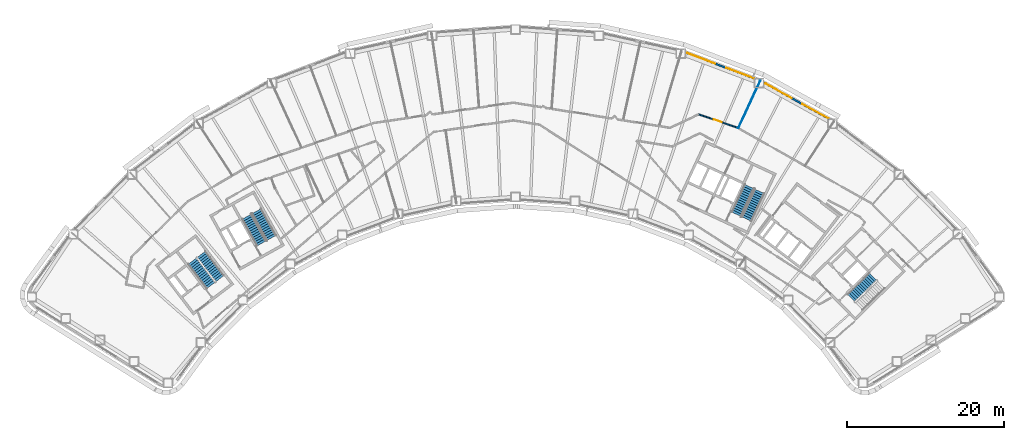
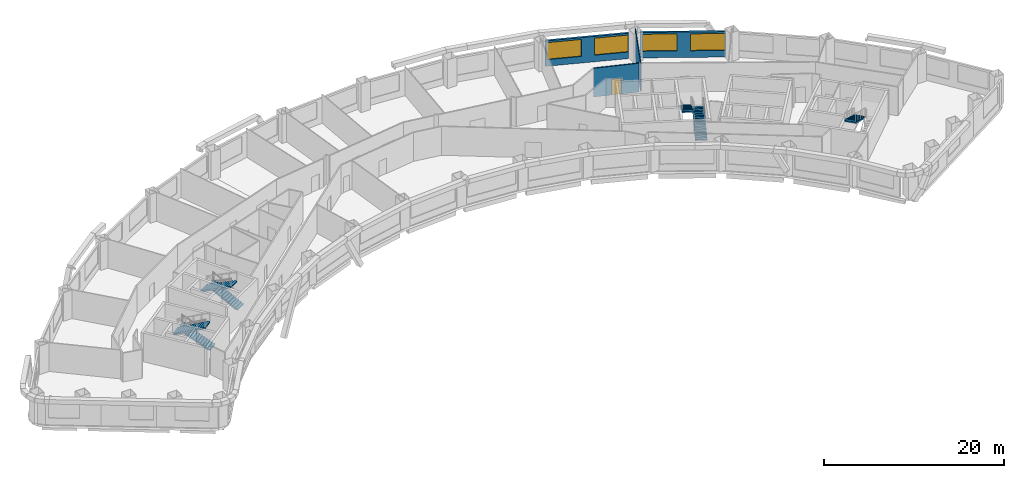
# One storey, part 9 of 15: 7 stair flights, 4 walls, 4 windows, 1 door, 5 openings, 4 elements without a shape of their own.
"""IFC4 building model written with IfcOpenShell, lengths in metres."""

from ifc_helpers import new_model, si_unit, direction, frame, frame_2d, origin, place, context, subcontext, project, spatial, polyline, rectangle, outline, extrude, material, layer, layer_set, type_object, element, fill, aggregate, save


model = new_model("IFC4")

# Units and contexts
model_context = context("Model", 3, precision=1e-05, world=origin(), true_north=direction((0.0, 1.0)))
body_context = subcontext(model_context, "Body", "Model", "MODEL_VIEW")
ifc_project = project(units=[si_unit("LENGTHUNIT", "METRE"), si_unit("AREAUNIT", "SQUARE_METRE"), si_unit("VOLUMEUNIT", "CUBIC_METRE"), si_unit("PLANEANGLEUNIT", "RADIAN"), si_unit("MASSUNIT", "GRAM", prefix="KILO")], contexts=[model_context])

# Site, building, storey
site_placement = place(None, origin())
site = spatial("IfcSite", under=ifc_project, at=site_placement, CompositionType="ELEMENT")
building_placement = place(site_placement, origin())
building = spatial("IfcBuilding", under=site, at=building_placement, Name="Tuul Gate Civic Tower", CompositionType="ELEMENT")
storey_placement = place(building_placement, frame((0.0, 0.0, 78.0)))
storey = spatial("IfcBuildingStorey", under=building, at=storey_placement, Name="Level 17", CompositionType="ELEMENT", Elevation=78.0)

# Wall, opening, door
ifc_material_1 = material(Name="Gypsum board partition")
ifc_layer_1 = layer(ifc_material_1, 0.14990234375)
ifc_layer_set_1 = layer_set([ifc_layer_1], Name="Gypsum board partition")
wall_type_1 = type_object("IfcWallType", Name="Corridor wall P150", PredefinedType="PARTITIONING", material=ifc_layer_set_1)
wall_1_placement = place(storey_placement, frame((28.1591796875, 7.878173828125, 0.0), z_axis=(0.0, 0.0, 1.0), x_axis=(0.945540696843, -0.32550390261, 0.0)))
wall_1 = element("IfcWall", 1, at=wall_1_placement, inside=storey, type_object=wall_type_1, Name="p013", PredefinedType="PARTITIONING", context=body_context, shape_type="SweptSolid", body=[
    extrude(rectangle(XDim=5.1474609375, YDim=0.14990234375, at=frame_2d((2.57373046875, 0.0))), origin(), (0.0, 0.0, 1.0), 3.89990234375),
])
opening_1_placement = place(wall_1_placement, frame((2.023681640625, 0.0, 0.0)))
opening_1 = element("IfcOpeningElement", 2, at=opening_1_placement, cuts=wall_1, Name="Opening E-D04", PredefinedType="OPENING", context=body_context, shape_type="SweptSolid", body=[
    extrude(rectangle(XDim=1.10009765625, YDim=2.10009765625, at=frame_2d((0.550048828125, 1.050048828125))), frame((0.0, 0.0849609375, 0.0), z_axis=(0.0, -1.0, 0.0), x_axis=(1.0, 0.0, 0.0)), (0.0, 0.0, 1.0), 0.169921875),
])
ifc_material_2 = material(Name="Timber door leaf", Category="wood")
door_type = type_object("IfcDoorType", Name="Door D11", OperationType="NOTDEFINED", PredefinedType="DOOR", material=ifc_material_2)
door_placement = place(opening_1_placement, origin())
door = element("IfcDoor", 3, at=door_placement, inside=storey, type_object=door_type, Name="Door E-D04", OperationType="SINGLE_SWING_RIGHT", OverallHeight=2.10009765625, OverallWidth=1.10009765625, PredefinedType="DOOR", context=body_context, shape_type="SweptSolid", body=[
    extrude(rectangle(XDim=1.10009765625, YDim=2.10009765625, at=frame_2d((0.550048828125, 1.050048828125))), frame((0.0, 0.02490234375, 0.0), z_axis=(0.0, -1.0, 0.0), x_axis=(1.0, 0.0, 0.0)), (0.0, 0.0, 1.0), 0.050048828125),
])
fill(opening_1, door)

# Wall, openings, windows
ifc_material_3 = material(Name="Precast concrete C40/50", Category="concrete")
ifc_layer_2 = layer(ifc_material_3, 0.25)
ifc_layer_set_2 = layer_set([ifc_layer_2], Name="Precast concrete C40/50")
wall_type_2 = type_object("IfcWallType", Name="External wall", PredefinedType="STANDARD", material=ifc_layer_set_2)
wall_2_placement = place(storey_placement, frame((44.798583984375, 7.283935546875, 0.0), z_axis=(0.0, 0.0, 1.0), x_axis=(-0.874600835604, 0.484843663835, 0.0)))
wall_2 = element("IfcWall", 4, at=wall_2_placement, inside=storey, type_object=wall_type_2, Name="External wall", PredefinedType="STANDARD", context=body_context, shape_type="SweptSolid", body=[
    extrude(rectangle(XDim=9.5205078125, YDim=0.25, at=frame_2d((4.76025390625, 0.0))), origin(), (0.0, 0.0, 1.0), 3.449951171875),
])
opening_2_placement = place(wall_2_placement, frame((0.0771484375, 0.0, 0.89990234375)))
opening_2 = element("IfcOpeningElement", 5, at=opening_2_placement, cuts=wall_2, Name="Opening W22", PredefinedType="OPENING", context=body_context, shape_type="SweptSolid", body=[
    extrude(rectangle(XDim=3.85009765625, YDim=2.300048828125, at=frame_2d((1.925048828125, 1.14990234375))), frame((0.0, 0.135009765625, 0.0), z_axis=(0.0, -1.0, 0.0), x_axis=(1.0, 0.0, 0.0)), (0.0, 0.0, 1.0), 0.27001953125),
])
opening_3_placement = place(wall_2_placement, frame((5.447998046875, 0.0, 0.89990234375)))
opening_3 = element("IfcOpeningElement", 6, at=opening_3_placement, cuts=wall_2, Name="Opening W22", PredefinedType="OPENING", context=body_context, shape_type="SweptSolid", body=[
    extrude(rectangle(XDim=3.85009765625, YDim=2.300048828125, at=frame_2d((1.925048828125, 1.14990234375))), frame((0.0, 0.135009765625, 0.0), z_axis=(0.0, -1.0, 0.0), x_axis=(1.0, 0.0, 0.0)), (0.0, 0.0, 1.0), 0.27001953125),
])
ifc_material_4 = material(Name="Glass", Category="glass")
window_type_1 = type_object("IfcWindowType", Name="Window W22 3850 x 2300", PartitioningType="SINGLE_PANEL", PredefinedType="WINDOW", material=ifc_material_4)
window_1_placement = place(opening_2_placement, origin())
window_1 = element("IfcWindow", 7, at=window_1_placement, inside=storey, type_object=window_type_1, Name="Window", OverallHeight=2.300048828125, OverallWidth=3.85009765625, PartitioningType="SINGLE_PANEL", PredefinedType="WINDOW", context=body_context, shape_type="SweptSolid", body=[
    extrude(rectangle(XDim=3.85009765625, YDim=2.300048828125, at=frame_2d((1.925048828125, 1.14990234375))), frame((0.0, 0.030029296875, 0.0), z_axis=(0.0, -1.0, 0.0), x_axis=(1.0, 0.0, 0.0)), (0.0, 0.0, 1.0), 0.06005859375),
])
fill(opening_2, window_1)
window_2_placement = place(opening_3_placement, origin())
window_2 = element("IfcWindow", 8, at=window_2_placement, inside=storey, type_object=window_type_1, Name="Window", OverallHeight=2.300048828125, OverallWidth=3.85009765625, PartitioningType="SINGLE_PANEL", PredefinedType="WINDOW", context=body_context, shape_type="SweptSolid", body=[
    extrude(rectangle(XDim=3.85009765625, YDim=2.300048828125, at=frame_2d((1.925048828125, 1.14990234375))), frame((0.0, 0.030029296875, 0.0), z_axis=(0.0, -1.0, 0.0), x_axis=(1.0, 0.0, 0.0)), (0.0, 0.0, 1.0), 0.06005859375),
])
fill(opening_3, window_2)

wall_3_placement = place(storey_placement, frame((35.27197265625, 12.43505859375, 0.0), z_axis=(0.0, 0.0, 1.0), x_axis=(-0.935339717619, 0.35375077759, 0.0)))
wall_3 = element("IfcWall", 9, at=wall_3_placement, inside=storey, type_object=wall_type_2, Name="External wall", PredefinedType="STANDARD", context=body_context, shape_type="SweptSolid", body=[
    extrude(rectangle(XDim=9.394287109375, YDim=0.25, at=frame_2d((4.697265625, 0.0))), origin(), (0.0, 0.0, 1.0), 3.449951171875),
])
opening_4_placement = place(wall_3_placement, frame((0.044921875, 0.0, 0.89990234375)))
opening_4 = element("IfcOpeningElement", 10, at=opening_4_placement, cuts=wall_3, Name="Opening W100", PredefinedType="OPENING", context=body_context, shape_type="SweptSolid", body=[
    extrude(rectangle(XDim=3.800048828125, YDim=2.300048828125, at=frame_2d((1.89990234375, 1.14990234375))), frame((0.0, 0.135009765625, 0.0), z_axis=(0.0, -1.0, 0.0), x_axis=(1.0, 0.0, 0.0)), (0.0, 0.0, 1.0), 0.27001953125),
])
opening_5_placement = place(wall_3_placement, frame((5.33447265625, 0.0, 0.89990234375)))
opening_5 = element("IfcOpeningElement", 11, at=opening_5_placement, cuts=wall_3, Name="Opening W22", PredefinedType="OPENING", context=body_context, shape_type="SweptSolid", body=[
    extrude(rectangle(XDim=3.85009765625, YDim=2.300048828125, at=frame_2d((1.925048828125, 1.14990234375))), frame((0.0, 0.135009765625, 0.0), z_axis=(0.0, -1.0, 0.0), x_axis=(1.0, 0.0, 0.0)), (0.0, 0.0, 1.0), 0.27001953125),
])
ifc_material_5 = material(Name="Glass", Category="glass")
window_type_2 = type_object("IfcWindowType", Name="Window W100 3800 x 2300", PartitioningType="SINGLE_PANEL", PredefinedType="WINDOW", material=ifc_material_5)
window_3_placement = place(opening_4_placement, origin())
window_3 = element("IfcWindow", 12, at=window_3_placement, inside=storey, type_object=window_type_2, Name="Window", OverallHeight=2.300048828125, OverallWidth=3.800048828125, PartitioningType="SINGLE_PANEL", PredefinedType="WINDOW", context=body_context, shape_type="SweptSolid", body=[
    extrude(rectangle(XDim=3.800048828125, YDim=2.300048828125, at=frame_2d((1.89990234375, 1.14990234375))), frame((0.0, 0.030029296875, 0.0), z_axis=(0.0, -1.0, 0.0), x_axis=(1.0, 0.0, 0.0)), (0.0, 0.0, 1.0), 0.06005859375),
])
fill(opening_4, window_3)
window_4_placement = place(opening_5_placement, origin())
window_4 = element("IfcWindow", 13, at=window_4_placement, inside=storey, type_object=window_type_1, Name="Window", OverallHeight=2.300048828125, OverallWidth=3.85009765625, PartitioningType="SINGLE_PANEL", PredefinedType="WINDOW", context=body_context, shape_type="SweptSolid", body=[
    extrude(rectangle(XDim=3.85009765625, YDim=2.300048828125, at=frame_2d((1.925048828125, 1.14990234375))), frame((0.0, 0.030029296875, 0.0), z_axis=(0.0, -1.0, 0.0), x_axis=(1.0, 0.0, 0.0)), (0.0, 0.0, 1.0), 0.06005859375),
])
fill(opening_5, window_4)

# Wall
ifc_material_6 = material(Name="Gypsum board partition")
ifc_layer_3 = layer(ifc_material_6, 0.10009765625)
ifc_layer_set_3 = layer_set([ifc_layer_3], Name="Gypsum board partition")
wall_type_3 = type_object("IfcWallType", Name="Partition P100", PredefinedType="PARTITIONING", material=ifc_layer_set_3)
wall_4_placement = place(storey_placement, frame((33.204345703125, 6.102294921875, 0.0), z_axis=(0.0, 0.0, 1.0), x_axis=(0.420337673154, 0.90736775374, 0.0)))
element("IfcWall", 14, at=wall_4_placement, inside=storey, type_object=wall_type_3, Name="p011", PredefinedType="PARTITIONING", context=body_context, shape_type="SweptSolid", body=[
    extrude(rectangle(XDim=6.677001953125, YDim=0.10009765625, at=frame_2d((3.33837890625, 0.0))), origin(), (0.0, 0.0, 1.0), 3.89990234375),
])

# Stair, stair flights
ifc_material_7 = material(Name="Concrete C40/50", Category="concrete")
stair_type = type_object("IfcStairType", Name="Exit stair", PredefinedType="HALF_TURN_STAIR", material=ifc_material_7)
stair_1_placement = place(storey_placement, origin())
stair_1 = element("IfcStair", 15, at=stair_1_placement, inside=storey, type_object=stair_type, Name="Level 17 ST-1", PredefinedType="HALF_TURN_STAIR")
ifc_material_8 = material(Name="Concrete C40/50", Category="concrete")
stair_flight_type = type_object("IfcStairFlightType", Name="Exit stair flight", PredefinedType="STRAIGHT", material=ifc_material_8)
stair_flight_1_placement = place(storey_placement, frame((-32.875244140625, -13.066650390625, 0.0), z_axis=(0.0, 0.0, 1.0), x_axis=(-0.605764474941, 0.795644016442, 0.0)))
stair_flight_1 = element("IfcStairFlight", 16, at=stair_flight_1_placement, type_object=stair_flight_type, Name="ST-1 flight 1", NumberOfRisers=14, NumberOfTreads=13, PredefinedType="STRAIGHT", RiserHeight=0.15, TreadLength=0.3, context=body_context, shape_type="SweptSolid", body=[
    extrude(outline(polyline([(0.0, 0.0), (0.0, 0.14990234375), (0.300048828125, 0.14990234375), (0.300048828125, 0.300048828125), (0.60009765625, 0.300048828125), (0.60009765625, 0.449951171875), (0.89990234375, 0.449951171875), (0.89990234375, 0.60009765625), (1.199951171875, 0.60009765625), (1.199951171875, 0.75), (1.5, 0.75), (1.5, 0.89990234375), (1.800048828125, 0.89990234375), (1.800048828125, 1.050048828125), (2.10009765625, 1.050048828125), (2.10009765625, 1.199951171875), (2.39990234375, 1.199951171875), (2.39990234375, 1.35009765625), (2.699951171875, 1.35009765625), (2.699951171875, 1.5), (3.0, 1.5), (3.0, 1.64990234375), (3.300048828125, 1.64990234375), (3.300048828125, 1.800048828125), (3.60009765625, 1.800048828125), (3.60009765625, 1.949951171875), (3.89990234375, 1.949951171875), (3.89990234375, 2.10009765625), (3.89990234375, 1.782470703125), (0.335205078125, 0.0), (0.0, 0.0)])), frame((0.0, 0.675048828125, 0.0), z_axis=(0.0, -1.0, 0.0), x_axis=(1.0, 0.0, 0.0)), (0.0, 0.0, 1.0), 1.35009765625),
])
stair_flight_2_placement = place(storey_placement, frame((-36.391357421875, -10.842041015625, 2.10009765625), z_axis=(0.0, 0.0, 1.0), x_axis=(0.605764474941, -0.795644016442, 0.0)))
stair_flight_2 = element("IfcStairFlight", 17, at=stair_flight_2_placement, type_object=stair_flight_type, Name="ST-1 flight 2", NumberOfRisers=14, NumberOfTreads=13, PredefinedType="STRAIGHT", RiserHeight=0.15, TreadLength=0.3, context=body_context, shape_type="SweptSolid", body=[
    extrude(outline(polyline([(0.0, 0.0), (0.0, 0.14990234375), (0.300048828125, 0.14990234375), (0.300048828125, 0.300048828125), (0.60009765625, 0.300048828125), (0.60009765625, 0.449951171875), (0.89990234375, 0.449951171875), (0.89990234375, 0.60009765625), (1.199951171875, 0.60009765625), (1.199951171875, 0.75), (1.5, 0.75), (1.5, 0.89990234375), (1.800048828125, 0.89990234375), (1.800048828125, 1.050048828125), (2.10009765625, 1.050048828125), (2.10009765625, 1.199951171875), (2.39990234375, 1.199951171875), (2.39990234375, 1.35009765625), (2.699951171875, 1.35009765625), (2.699951171875, 1.5), (3.0, 1.5), (3.0, 1.64990234375), (3.300048828125, 1.64990234375), (3.300048828125, 1.800048828125), (3.60009765625, 1.800048828125), (3.60009765625, 1.949951171875), (3.89990234375, 1.949951171875), (3.89990234375, 2.10009765625), (3.89990234375, 1.782470703125), (0.335205078125, 0.0), (0.0, 0.0)])), frame((0.0, 0.675048828125, 0.0), z_axis=(0.0, -1.0, 0.0), x_axis=(1.0, 0.0, 0.0)), (0.0, 0.0, 1.0), 1.35009765625),
])
aggregate(stair_1, [stair_flight_1, stair_flight_2])

stair_2_placement = place(storey_placement, origin())
stair_2 = element("IfcStair", 18, at=stair_2_placement, inside=storey, type_object=stair_type, Name="Level 17 ST-2", PredefinedType="HALF_TURN_STAIR")
stair_flight_3_placement = place(storey_placement, frame((-26.29150390625, -7.87646484375, 0.0), z_axis=(0.0, 0.0, 1.0), x_axis=(-0.484761763766, 0.874646232708, 0.0)))
stair_flight_3 = element("IfcStairFlight", 19, at=stair_flight_3_placement, type_object=stair_flight_type, Name="ST-2 flight 1", NumberOfRisers=14, NumberOfTreads=13, PredefinedType="STRAIGHT", RiserHeight=0.15, TreadLength=0.3, context=body_context, shape_type="SweptSolid", body=[
    extrude(outline(polyline([(0.0, 0.0), (0.0, 0.14990234375), (0.300048828125, 0.14990234375), (0.300048828125, 0.300048828125), (0.60009765625, 0.300048828125), (0.60009765625, 0.449951171875), (0.89990234375, 0.449951171875), (0.89990234375, 0.60009765625), (1.199951171875, 0.60009765625), (1.199951171875, 0.75), (1.5, 0.75), (1.5, 0.89990234375), (1.800048828125, 0.89990234375), (1.800048828125, 1.050048828125), (2.10009765625, 1.050048828125), (2.10009765625, 1.199951171875), (2.39990234375, 1.199951171875), (2.39990234375, 1.35009765625), (2.699951171875, 1.35009765625), (2.699951171875, 1.5), (3.0, 1.5), (3.0, 1.64990234375), (3.300048828125, 1.64990234375), (3.300048828125, 1.800048828125), (3.60009765625, 1.800048828125), (3.60009765625, 1.949951171875), (3.89990234375, 1.949951171875), (3.89990234375, 2.10009765625), (3.89990234375, 1.782470703125), (0.335205078125, 0.0), (0.0, 0.0)])), frame((0.0, 0.675048828125, 0.0), z_axis=(0.0, -1.0, 0.0), x_axis=(1.0, 0.0, 0.0)), (0.0, 0.0, 1.0), 1.35009765625),
])
stair_flight_4_placement = place(storey_placement, frame((-29.450439453125, -5.168212890625, 2.10009765625), z_axis=(0.0, 0.0, 1.0), x_axis=(0.484761763766, -0.874646232708, 0.0)))
stair_flight_4 = element("IfcStairFlight", 20, at=stair_flight_4_placement, type_object=stair_flight_type, Name="ST-2 flight 2", NumberOfRisers=14, NumberOfTreads=13, PredefinedType="STRAIGHT", RiserHeight=0.15, TreadLength=0.3, context=body_context, shape_type="SweptSolid", body=[
    extrude(outline(polyline([(0.0, 0.0), (0.0, 0.14990234375), (0.300048828125, 0.14990234375), (0.300048828125, 0.300048828125), (0.60009765625, 0.300048828125), (0.60009765625, 0.449951171875), (0.89990234375, 0.449951171875), (0.89990234375, 0.60009765625), (1.199951171875, 0.60009765625), (1.199951171875, 0.75), (1.5, 0.75), (1.5, 0.89990234375), (1.800048828125, 0.89990234375), (1.800048828125, 1.050048828125), (2.10009765625, 1.050048828125), (2.10009765625, 1.199951171875), (2.39990234375, 1.199951171875), (2.39990234375, 1.35009765625), (2.699951171875, 1.35009765625), (2.699951171875, 1.5), (3.0, 1.5), (3.0, 1.64990234375), (3.300048828125, 1.64990234375), (3.300048828125, 1.800048828125), (3.60009765625, 1.800048828125), (3.60009765625, 1.949951171875), (3.89990234375, 1.949951171875), (3.89990234375, 2.10009765625), (3.89990234375, 1.782470703125), (0.335205078125, 0.0), (0.0, 0.0)])), frame((0.0, 0.675048828125, 0.0), z_axis=(0.0, -1.0, 0.0), x_axis=(1.0, 0.0, 0.0)), (0.0, 0.0, 1.0), 1.35009765625),
])
aggregate(stair_2, [stair_flight_3, stair_flight_4])

# Stair, stair flight
stair_3_placement = place(storey_placement, origin())
stair_3 = element("IfcStair", 21, at=stair_3_placement, inside=storey, type_object=stair_type, Name="Level 17 ST-3", PredefinedType="HALF_TURN_STAIR")
stair_flight_5_placement = place(storey_placement, frame((50.3837890625, -12.816162109375, 2.10009765625), z_axis=(0.0, 0.0, 1.0), x_axis=(-0.714127290059, -0.700015866672, 0.0)))
stair_flight_5 = element("IfcStairFlight", 22, at=stair_flight_5_placement, type_object=stair_flight_type, Name="ST-3 flight 2", NumberOfRisers=14, NumberOfTreads=13, PredefinedType="STRAIGHT", RiserHeight=0.15, TreadLength=0.3, context=body_context, shape_type="SweptSolid", body=[
    extrude(outline(polyline([(0.0, 0.0), (0.0, 0.14990234375), (0.300048828125, 0.14990234375), (0.300048828125, 0.300048828125), (0.60009765625, 0.300048828125), (0.60009765625, 0.449951171875), (0.89990234375, 0.449951171875), (0.89990234375, 0.60009765625), (1.199951171875, 0.60009765625), (1.199951171875, 0.75), (1.5, 0.75), (1.5, 0.89990234375), (1.800048828125, 0.89990234375), (1.800048828125, 1.050048828125), (2.10009765625, 1.050048828125), (2.10009765625, 1.199951171875), (2.39990234375, 1.199951171875), (2.39990234375, 1.35009765625), (2.699951171875, 1.35009765625), (2.699951171875, 1.5), (3.0, 1.5), (3.0, 1.64990234375), (3.300048828125, 1.64990234375), (3.300048828125, 1.800048828125), (3.60009765625, 1.800048828125), (3.60009765625, 1.949951171875), (3.89990234375, 1.949951171875), (3.89990234375, 2.10009765625), (3.89990234375, 1.782470703125), (0.335205078125, 0.0), (0.0, 0.0)])), frame((0.0, 0.675048828125, 0.0), z_axis=(0.0, -1.0, 0.0), x_axis=(1.0, 0.0, 0.0)), (0.0, 0.0, 1.0), 1.35009765625),
])
aggregate(stair_3, [stair_flight_5])

# Stair, stair flights
stair_4_placement = place(storey_placement, origin())
stair_4 = element("IfcStair", 23, at=stair_4_placement, inside=storey, type_object=stair_type, Name="Level 17 ST-4", PredefinedType="HALF_TURN_STAIR")
stair_flight_6_placement = place(storey_placement, frame((34.278564453125, -5.478515625, 0.0), z_axis=(0.0, 0.0, 1.0), x_axis=(0.422576295988, 0.906327354806, 0.0)))
stair_flight_6 = element("IfcStairFlight", 24, at=stair_flight_6_placement, type_object=stair_flight_type, Name="ST-4 flight 1", NumberOfRisers=14, NumberOfTreads=13, PredefinedType="STRAIGHT", RiserHeight=0.15, TreadLength=0.3, context=body_context, shape_type="SweptSolid", body=[
    extrude(outline(polyline([(0.0, 0.0), (0.0, 0.14990234375), (0.300048828125, 0.14990234375), (0.300048828125, 0.300048828125), (0.60009765625, 0.300048828125), (0.60009765625, 0.449951171875), (0.89990234375, 0.449951171875), (0.89990234375, 0.60009765625), (1.199951171875, 0.60009765625), (1.199951171875, 0.75), (1.5, 0.75), (1.5, 0.89990234375), (1.800048828125, 0.89990234375), (1.800048828125, 1.050048828125), (2.10009765625, 1.050048828125), (2.10009765625, 1.199951171875), (2.39990234375, 1.199951171875), (2.39990234375, 1.35009765625), (2.699951171875, 1.35009765625), (2.699951171875, 1.5), (3.0, 1.5), (3.0, 1.64990234375), (3.300048828125, 1.64990234375), (3.300048828125, 1.800048828125), (3.60009765625, 1.800048828125), (3.60009765625, 1.949951171875), (3.89990234375, 1.949951171875), (3.89990234375, 2.10009765625), (3.89990234375, 1.782470703125), (0.335205078125, 0.0), (0.0, 0.0)])), frame((0.0, 0.675048828125, 0.0), z_axis=(0.0, -1.0, 0.0), x_axis=(1.0, 0.0, 0.0)), (0.0, 0.0, 1.0), 1.35009765625),
])
stair_flight_7_placement = place(storey_placement, frame((34.612548828125, -1.3310546875, 2.10009765625), z_axis=(0.0, 0.0, 1.0), x_axis=(-0.422576295988, -0.906327354806, 0.0)))
stair_flight_7 = element("IfcStairFlight", 25, at=stair_flight_7_placement, type_object=stair_flight_type, Name="ST-4 flight 2", NumberOfRisers=14, NumberOfTreads=13, PredefinedType="STRAIGHT", RiserHeight=0.15, TreadLength=0.3, context=body_context, shape_type="SweptSolid", body=[
    extrude(outline(polyline([(0.0, 0.0), (0.0, 0.14990234375), (0.300048828125, 0.14990234375), (0.300048828125, 0.300048828125), (0.60009765625, 0.300048828125), (0.60009765625, 0.449951171875), (0.89990234375, 0.449951171875), (0.89990234375, 0.60009765625), (1.199951171875, 0.60009765625), (1.199951171875, 0.75), (1.5, 0.75), (1.5, 0.89990234375), (1.800048828125, 0.89990234375), (1.800048828125, 1.050048828125), (2.10009765625, 1.050048828125), (2.10009765625, 1.199951171875), (2.39990234375, 1.199951171875), (2.39990234375, 1.35009765625), (2.699951171875, 1.35009765625), (2.699951171875, 1.5), (3.0, 1.5), (3.0, 1.64990234375), (3.300048828125, 1.64990234375), (3.300048828125, 1.800048828125), (3.60009765625, 1.800048828125), (3.60009765625, 1.949951171875), (3.89990234375, 1.949951171875), (3.89990234375, 2.10009765625), (3.89990234375, 1.782470703125), (0.335205078125, 0.0), (0.0, 0.0)])), frame((0.0, 0.675048828125, 0.0), z_axis=(0.0, -1.0, 0.0), x_axis=(1.0, 0.0, 0.0)), (0.0, 0.0, 1.0), 1.35009765625),
])
aggregate(stair_4, [stair_flight_6, stair_flight_7])

save(model, "model.ifc")
